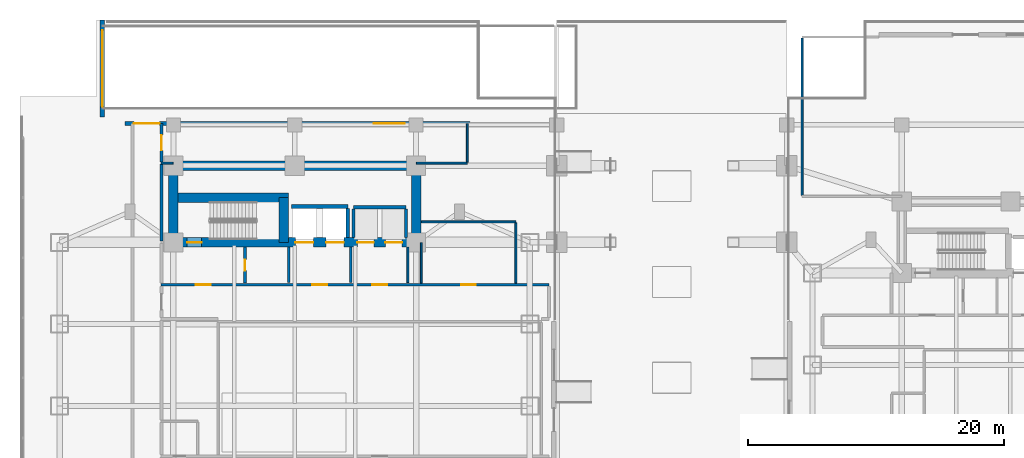
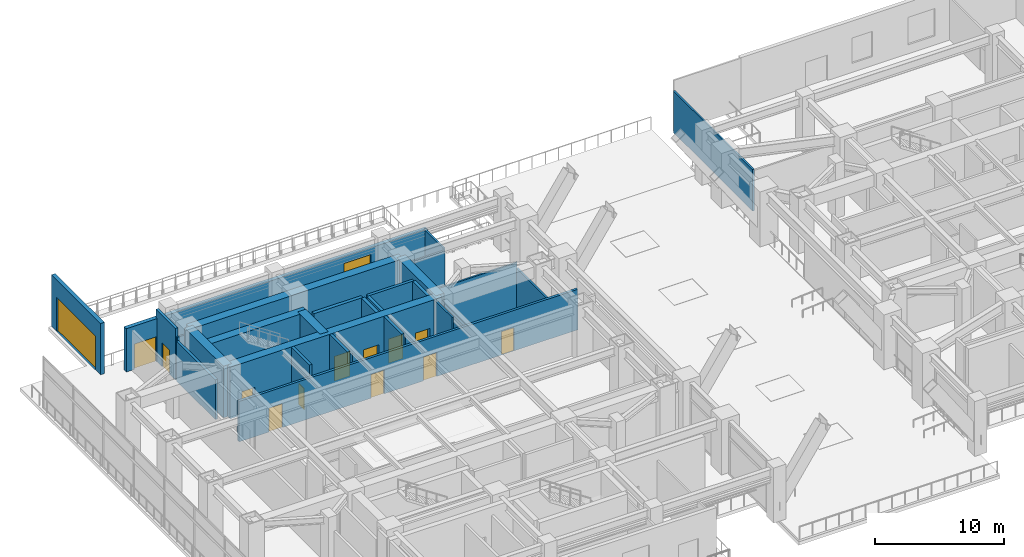
# One storey, part 12 of 27: 27 walls, 13 doors, 1 window, 14 openings.
"""IFC4 building model written with IfcOpenShell, lengths in metres."""

import ifcopenshell
import ifcopenshell.guid

model = None  # the IFC model being written
_history = None  # IfcOwnerHistory: only IFC2X3 demands one
_inside = {}  # id of a spatial element -> (the spatial element, [elements in it])
_under = {}  # id of a project, library or spatial element -> (it, [spatial elements below it])
_declared = {}  # id of a project -> (the project, [libraries it declares])
_typed = {}  # id of a type object -> (the type object, [elements of that type])
_made_of = {}  # id of a material, layer set ... -> (it, [elements and type objects made of it])


def new_model(schema):
    """Start an empty IFC model of exactly this schema.

    Asked for "IFC4X3", IfcOpenShell would pick the latest addendum, in which some entities
    have other attributes; the version numbers below select the first issue.
    IFC2X3 requires an IfcOwnerHistory on every rooted entity: one is made here for all.
    """
    global model, _history
    if schema == "IFC4X3":
        model = ifcopenshell.file(schema_version=(4, 3, 0, 0))
    else:
        model = ifcopenshell.file(schema=schema)
    _inside.clear()
    _under.clear()
    _declared.clear()
    _typed.clear()
    _made_of.clear()
    _history = None
    if model.schema == "IFC2X3":
        org = make("IfcOrganization", Name="unknown")
        user = make(
            "IfcPersonAndOrganization",
            ThePerson=make("IfcPerson", FamilyName="unknown"),
            TheOrganization=org,
        )
        app = make(
            "IfcApplication",
            ApplicationDeveloper=org,
            Version="unknown",
            ApplicationFullName="unknown",
            ApplicationIdentifier="unknown",
        )
        _history = make(
            "IfcOwnerHistory",
            OwningUser=user,
            OwningApplication=app,
            ChangeAction="ADDED",
            CreationDate=0,
        )
    return model


def make(cls, **values):
    """One entity of the class cls with the attributes given. An attribute that is None is left unset."""
    return model.create_entity(
        cls, **{name: value for name, value in values.items() if value is not None}
    )


def rooted(cls, **values):
    """An entity with a GlobalId (a new one), such as an element, a storey or a relation."""
    return make(cls, GlobalId=ifcopenshell.guid.new(), OwnerHistory=_history, **values)


def si_unit(unit_type, name, prefix=None):
    """IfcSIUnit, for example si_unit("LENGTHUNIT", "METRE", prefix="MILLI")."""
    return make("IfcSIUnit", UnitType=unit_type, Prefix=prefix, Name=name)


def assignment(units):
    """IfcUnitAssignment: the units of a project."""
    return None if units is None else make("IfcUnitAssignment", Units=units)


def point(xyz):
    """IfcCartesianPoint."""
    return None if xyz is None else make("IfcCartesianPoint", Coordinates=xyz)


def direction(xyz):
    """IfcDirection."""
    return None if xyz is None else make("IfcDirection", DirectionRatios=xyz)


def frame(location, z_axis=None, x_axis=None):
    """IfcAxis2Placement3D, a coordinate frame: its origin and axes. An axis left out is left unset."""
    return make(
        "IfcAxis2Placement3D",
        Location=point(location),
        Axis=direction(z_axis),
        RefDirection=direction(x_axis),
    )


def frame_2d(location, x_axis=None):
    """IfcAxis2Placement2D, a coordinate frame in the plane: its origin and x axis."""
    return make(
        "IfcAxis2Placement2D", Location=point(location), RefDirection=direction(x_axis)
    )


def origin():
    """The frame at (0, 0, 0) with its axes left unset."""
    return frame((0.0, 0.0, 0.0))


def place(relative_to, where):
    """IfcLocalPlacement: puts the frame where relative to a parent placement (None: the world)."""
    return make(
        "IfcLocalPlacement", PlacementRelTo=relative_to, RelativePlacement=where
    )


def context(
    kind, dimensions, precision=None, world=None, true_north=None, identifier=None
):
    """IfcGeometricRepresentationContext, for example the 3D "Model" context."""
    return make(
        "IfcGeometricRepresentationContext",
        ContextIdentifier=identifier,
        ContextType=kind,
        CoordinateSpaceDimension=dimensions,
        Precision=precision,
        WorldCoordinateSystem=world,
        TrueNorth=true_north,
    )


def subcontext(parent, identifier, kind, view, scale=None):
    """IfcGeometricRepresentationSubContext, for example "Body" below "Model"."""
    return make(
        "IfcGeometricRepresentationSubContext",
        ContextIdentifier=identifier,
        ContextType=kind,
        ParentContext=parent,
        TargetScale=scale,
        TargetView=view,
    )


def project(units=None, contexts=None):
    """IfcProject with its units and contexts."""
    return rooted(
        "IfcProject",
        Name="project",
        RepresentationContexts=contexts,
        UnitsInContext=assignment(units),
    )


def spatial(cls, under=None, at=None, **own):
    """A site, building, storey or space (cls), placed at a placement, below another one or the project."""
    s = rooted(cls, ObjectPlacement=at, **own)
    if under is not None:
        _under.setdefault(under.id(), (under, []))[1].append(s)
    return s


def profile(cls, at=None, kind="AREA", **sizes):
    """A parametric profile (cls). Its sizes go by their IFC names, for example OverallWidth=200.0."""
    return make(cls, ProfileType=kind, Position=at, **sizes)


def rectangle(**sizes):
    """IfcRectangleProfileDef."""
    return profile("IfcRectangleProfileDef", **sizes)


def extrude(swept, where, along, depth):
    """IfcExtrudedAreaSolid: the profile swept, set in the frame where, extruded along a direction by depth."""
    return make(
        "IfcExtrudedAreaSolid",
        SweptArea=swept,
        Position=where,
        ExtrudedDirection=direction(along),
        Depth=depth,
    )


def shape(context_of_items, identifier, shape_type, items):
    """IfcShapeRepresentation: the items that make up one representation, for example the "Body"."""
    return make(
        "IfcShapeRepresentation",
        ContextOfItems=context_of_items,
        RepresentationIdentifier=identifier,
        RepresentationType=shape_type,
        Items=items,
    )


def material(Name=None, Category=None):
    """IfcMaterial."""
    return make("IfcMaterial", Name=Name, Category=Category)


def layer(
    of_material, thickness, ventilated=None, Name=None, Category=None, Priority=None
):
    """IfcMaterialLayer: one layer of a wall or slab, of a material (None: an air gap)."""
    return make(
        "IfcMaterialLayer",
        Material=of_material,
        LayerThickness=thickness,
        IsVentilated=ventilated,
        Name=Name,
        Category=Category,
        Priority=Priority,
    )


def layer_set(layers, Name=None):
    """IfcMaterialLayerSet."""
    return make("IfcMaterialLayerSet", MaterialLayers=layers, LayerSetName=Name)


def made_of(thing, what):
    """Note that an element or type object is made of a material, layer set ...; save() writes the relation."""
    if what is not None:
        _made_of.setdefault(what.id(), (what, []))[1].append(thing)
    return thing


def type_object(cls, material=None, **own):
    """A type object (cls), such as IfcWallType, which elements share."""
    return made_of(rooted(cls, **own), material)


def element(
    cls,
    number,
    at=None,
    inside=None,
    cuts=None,
    type_object=None,
    material=None,
    context=None,
    identifier="Body",
    shape_type=None,
    held_by="IfcProductDefinitionShape",
    body=None,
    shapes=None,
    **own,
):
    """One element of the class cls, such as IfcWall. Its Tag is "e" and its number.

    at: its placement. inside: the storey or other place that contains it. cuts: it is an
    opening in that element (IfcRelVoidsElement). A single representation is given by context,
    identifier, shape_type and body (its items); several are given by shapes. held_by: the class
    of the entity that holds the representations. save() writes the other relations.
    """
    e = rooted(cls, Tag="e%d" % number, ObjectPlacement=at, **own)
    if body is not None:
        shapes = [shape(context, identifier, shape_type, body)]
    if shapes is not None:
        e.Representation = make(held_by, Representations=shapes)
    if inside is not None:
        _inside.setdefault(inside.id(), (inside, []))[1].append(e)
    if cuts is not None:
        rooted(
            "IfcRelVoidsElement", RelatingBuildingElement=cuts, RelatedOpeningElement=e
        )
    if type_object is not None:
        _typed.setdefault(type_object.id(), (type_object, []))[1].append(e)
    return made_of(e, material)


def fill(opening, filler):
    """IfcRelFillsElement: the door or window that sits in an opening."""
    return rooted(
        "IfcRelFillsElement",
        RelatingOpeningElement=opening,
        RelatedBuildingElement=filler,
    )


def aggregate(whole, parts):
    """IfcRelAggregates: a whole, such as a stair, and the parts it consists of."""
    return rooted("IfcRelAggregates", RelatingObject=whole, RelatedObjects=parts)


def save(model, path):
    """Write the relations noted so far, then the file.

    IfcRelAggregates (storeys below a building ...), IfcRelContainedInSpatialStructure (elements
    in a storey), IfcRelDefinesByType, IfcRelAssociatesMaterial and IfcRelDeclares: one each for
    every whole, place, type object, material and project.
    """
    for whole, parts in _under.values():
        aggregate(whole, parts)
    for where, things in _inside.values():
        rooted(
            "IfcRelContainedInSpatialStructure",
            RelatedElements=things,
            RelatingStructure=where,
        )
    for kind, things in _typed.values():
        rooted("IfcRelDefinesByType", RelatedObjects=things, RelatingType=kind)
    for what, things in _made_of.values():
        rooted("IfcRelAssociatesMaterial", RelatedObjects=things, RelatingMaterial=what)
    for by, libraries in _declared.values():
        rooted("IfcRelDeclares", RelatingContext=by, RelatedDefinitions=libraries)
    model.write(path)


model = new_model("IFC4")

# Units and contexts
model_context = context("Model", 3, precision=1e-05, world=origin(), true_north=direction((0.0, 1.0)))
body_context = subcontext(model_context, "Body", "Model", "MODEL_VIEW")
ifc_project = project(units=[si_unit("LENGTHUNIT", "METRE"), si_unit("AREAUNIT", "SQUARE_METRE"), si_unit("VOLUMEUNIT", "CUBIC_METRE"), si_unit("PLANEANGLEUNIT", "RADIAN"), si_unit("MASSUNIT", "GRAM", prefix="KILO")], contexts=[model_context])

# Site, building, storey
site_placement = place(None, origin())
site = spatial("IfcSite", under=ifc_project, at=site_placement, CompositionType="ELEMENT")
building_placement = place(site_placement, origin())
building = spatial("IfcBuilding", under=site, at=building_placement, Name="Mirazonda Arch Towers", CompositionType="ELEMENT")
storey_placement = place(building_placement, origin())
storey = spatial("IfcBuildingStorey", under=building, at=storey_placement, Name="L00", CompositionType="ELEMENT", Elevation=0.0)

# Walls
ifc_material_1 = material(Name="Concrete C60/75", Category="concrete")
ifc_layer_1 = layer(ifc_material_1, 0.75, Name="WALL-CORE-750")
ifc_layer_set_1 = layer_set([ifc_layer_1], Name="Concrete C60/75")
wall_type_1 = type_object("IfcWallType", Name="WALL-CORE-750", PredefinedType="SHEAR", material=ifc_layer_set_1)
wall_1_placement = place(storey_placement, frame((11.0, 43.60009765625, 0.0), z_axis=(0.0, 0.0, 1.0), x_axis=(1.0, 0.0, 0.0)))
element("IfcWall", 1, at=wall_1_placement, inside=storey, type_object=wall_type_1, Name="L00 T1N-N Core Shear Wall", PredefinedType="SHEAR", context=body_context, shape_type="SweptSolid", body=[
    extrude(rectangle(XDim=19.0, YDim=0.75, at=frame_2d((9.5, 0.0))), origin(), (0.0, 0.0, 1.0), 4.8798828125),
])
for number, where, z_axis, x_axis, name in (
    (2, (11.0, 37.60009765625, 0.0), (0.0, 0.0, 1.0), (0.0, 1.0, 0.0), "L00 T1N-W Core Shear Wall"),
    (3, (30.0, 37.60009765625, 0.0), (0.0, 0.0, 1.0), (0.0, 1.0, 0.0), "L00 T1N-E Core Shear Wall"),
):
    element("IfcWall", number, at=place(storey_placement, frame(where, z_axis=z_axis, x_axis=x_axis)), inside=storey, type_object=wall_type_1, Name=name, PredefinedType="SHEAR", context=body_context, shape_type="SweptSolid", body=[
        extrude(rectangle(XDim=6.0, YDim=0.75, at=frame_2d((3.0, 0.0))), origin(), (0.0, 0.0, 1.0), 4.8798828125),
    ])

# Wall, openings, doors
wall_2_placement = place(storey_placement, frame((11.0, 37.60009765625, 0.0), z_axis=(0.0, 0.0, 1.0), x_axis=(1.0, 0.0, 0.0)))
wall_2 = element("IfcWall", 4, at=wall_2_placement, inside=storey, type_object=wall_type_1, Name="L00 T1N-S Core Shear Wall", PredefinedType="SHEAR", context=body_context, shape_type="SweptSolid", body=[
    extrude(rectangle(XDim=19.0, YDim=0.75, at=frame_2d((9.5, 0.0))), origin(), (0.0, 0.0, 1.0), 4.8798828125),
])
opening_1_placement = place(wall_2_placement, frame((1.070068359375, 0.0, 0.0)))
opening_1 = element("IfcOpeningElement", 5, at=opening_1_placement, cuts=wall_2, Name="Opening DR-135", PredefinedType="OPENING", context=body_context, shape_type="SweptSolid", body=[
    extrude(rectangle(XDim=1.14990234375, YDim=2.199951171875, at=frame_2d((0.574951171875, 1.10009765625))), frame((0.0, 0.385009765625, 0.0), z_axis=(0.0, -1.0, 0.0), x_axis=(1.0, 0.0, 0.0)), (0.0, 0.0, 1.0), 0.77001953125),
])
opening_2_placement = place(wall_2_placement, frame((9.550048828125, 0.0, 0.0)))
opening_2 = element("IfcOpeningElement", 6, at=opening_2_placement, cuts=wall_2, Name="Opening LD-112", PredefinedType="OPENING", context=body_context, shape_type="SweptSolid", body=[
    extrude(rectangle(XDim=1.39990234375, YDim=2.35009765625, at=frame_2d((0.699951171875, 1.175048828125))), frame((0.0, 0.385009765625, 0.0), z_axis=(0.0, -1.0, 0.0), x_axis=(1.0, 0.0, 0.0)), (0.0, 0.0, 1.0), 0.77001953125),
])
opening_3_placement = place(wall_2_placement, frame((11.949951171875, 0.0, 0.0)))
opening_3 = element("IfcOpeningElement", 7, at=opening_3_placement, cuts=wall_2, Name="Opening LD-112", PredefinedType="OPENING", context=body_context, shape_type="SweptSolid", body=[
    extrude(rectangle(XDim=1.39990234375, YDim=2.35009765625, at=frame_2d((0.699951171875, 1.175048828125))), frame((0.0, 0.385009765625, 0.0), z_axis=(0.0, -1.0, 0.0), x_axis=(1.0, 0.0, 0.0)), (0.0, 0.0, 1.0), 0.77001953125),
])
opening_4_placement = place(wall_2_placement, frame((14.39990234375, 0.0, 0.0)))
opening_4 = element("IfcOpeningElement", 8, at=opening_4_placement, cuts=wall_2, Name="Opening LD-111", PredefinedType="OPENING", context=body_context, shape_type="SweptSolid", body=[
    extrude(rectangle(XDim=1.300048828125, YDim=2.300048828125, at=frame_2d((0.64990234375, 1.14990234375))), frame((0.0, 0.385009765625, 0.0), z_axis=(0.0, -1.0, 0.0), x_axis=(1.0, 0.0, 0.0)), (0.0, 0.0, 1.0), 0.77001953125),
])
opening_5_placement = place(wall_2_placement, frame((16.60009765625, 0.0, 0.0)))
opening_5 = element("IfcOpeningElement", 9, at=opening_5_placement, cuts=wall_2, Name="Opening LD-111", PredefinedType="OPENING", context=body_context, shape_type="SweptSolid", body=[
    extrude(rectangle(XDim=1.300048828125, YDim=2.300048828125, at=frame_2d((0.64990234375, 1.14990234375))), frame((0.0, 0.385009765625, 0.0), z_axis=(0.0, -1.0, 0.0), x_axis=(1.0, 0.0, 0.0)), (0.0, 0.0, 1.0), 0.77001953125),
])
ifc_material_2 = material(Name="Architectural Brushed Steel S355", Category="steel")
door_type_1 = type_object("IfcDoorType", Name="DOOR-LIFT-FFL-1400", OperationType="NOTDEFINED", PredefinedType="DOOR", material=ifc_material_2)
door_1_placement = place(opening_2_placement, origin())
door_1 = element("IfcDoor", 10, at=door_1_placement, inside=storey, type_object=door_type_1, Name="L00 Lift Landing Sliding Door FFL-T1", OperationType="DOUBLE_DOOR_SLIDING", OverallHeight=2.35009765625, OverallWidth=1.39990234375, PredefinedType="DOOR", context=body_context, shape_type="SweptSolid", body=[
    extrude(rectangle(XDim=1.39990234375, YDim=2.35009765625, at=frame_2d((0.699951171875, 1.175048828125))), frame((0.0, 0.02490234375, 0.0), z_axis=(0.0, -1.0, 0.0), x_axis=(1.0, 0.0, 0.0)), (0.0, 0.0, 1.0), 0.050048828125),
])
fill(opening_2, door_1)
door_2_placement = place(opening_3_placement, origin())
door_2 = element("IfcDoor", 11, at=door_2_placement, inside=storey, type_object=door_type_1, Name="L00 Lift Landing Sliding Door SVL-T1", OperationType="DOUBLE_DOOR_SLIDING", OverallHeight=2.35009765625, OverallWidth=1.39990234375, PredefinedType="DOOR", context=body_context, shape_type="SweptSolid", body=[
    extrude(rectangle(XDim=1.39990234375, YDim=2.35009765625, at=frame_2d((0.699951171875, 1.175048828125))), frame((0.0, 0.02490234375, 0.0), z_axis=(0.0, -1.0, 0.0), x_axis=(1.0, 0.0, 0.0)), (0.0, 0.0, 1.0), 0.050048828125),
])
fill(opening_3, door_2)
door_type_2 = type_object("IfcDoorType", Name="DOOR-LIFT-LAND-1300", OperationType="NOTDEFINED", PredefinedType="DOOR", material=ifc_material_2)
door_3_placement = place(opening_4_placement, origin())
door_3 = element("IfcDoor", 12, at=door_3_placement, inside=storey, type_object=door_type_2, Name="L00 Lift Landing Sliding Door PL-T1L1", OperationType="DOUBLE_DOOR_SLIDING", OverallHeight=2.300048828125, OverallWidth=1.300048828125, PredefinedType="DOOR", context=body_context, shape_type="SweptSolid", body=[
    extrude(rectangle(XDim=1.300048828125, YDim=2.300048828125, at=frame_2d((0.64990234375, 1.14990234375))), frame((0.0, 0.02490234375, 0.0), z_axis=(0.0, -1.0, 0.0), x_axis=(1.0, 0.0, 0.0)), (0.0, 0.0, 1.0), 0.050048828125),
])
fill(opening_4, door_3)
door_4_placement = place(opening_5_placement, origin())
door_4 = element("IfcDoor", 13, at=door_4_placement, inside=storey, type_object=door_type_2, Name="L00 Lift Landing Sliding Door PL-T1L2", OperationType="DOUBLE_DOOR_SLIDING", OverallHeight=2.300048828125, OverallWidth=1.300048828125, PredefinedType="DOOR", context=body_context, shape_type="SweptSolid", body=[
    extrude(rectangle(XDim=1.300048828125, YDim=2.300048828125, at=frame_2d((0.64990234375, 1.14990234375))), frame((0.0, 0.02490234375, 0.0), z_axis=(0.0, -1.0, 0.0), x_axis=(1.0, 0.0, 0.0)), (0.0, 0.0, 1.0), 0.050048828125),
])
fill(opening_5, door_4)
door_type_3 = type_object("IfcDoorType", Name="DOOR-STAIR-FD90-1150", OperationType="NOTDEFINED", PredefinedType="DOOR", material=ifc_material_2)
door_5_placement = place(opening_1_placement, origin())
door_5 = element("IfcDoor", 14, at=door_5_placement, inside=storey, type_object=door_type_3, Name="L00 Protected Exit Stair North Door", OperationType="SINGLE_SWING_LEFT", OverallHeight=2.199951171875, OverallWidth=1.14990234375, PredefinedType="DOOR", context=body_context, shape_type="SweptSolid", body=[
    extrude(rectangle(XDim=1.14990234375, YDim=2.199951171875, at=frame_2d((0.574951171875, 1.10009765625))), frame((0.0, 0.02490234375, 0.0), z_axis=(0.0, -1.0, 0.0), x_axis=(1.0, 0.0, 0.0)), (0.0, 0.0, 1.0), 0.050048828125),
])
fill(opening_1, door_5)

# Walls
wall_3_placement = place(storey_placement, frame((11.0, 41.094970703125, 0.0), z_axis=(0.0, 0.0, 1.0), x_axis=(1.0, 0.0, 0.0)))
element("IfcWall", 15, at=wall_3_placement, inside=storey, type_object=wall_type_1, Name="L00 T1N-STN Core Shear Wall", PredefinedType="SHEAR", context=body_context, shape_type="SweptSolid", body=[
    extrude(rectangle(XDim=9.0, YDim=0.75, at=frame_2d((4.5, 0.0))), origin(), (0.0, 0.0, 1.0), 4.8798828125),
])
wall_4_placement = place(storey_placement, frame((19.64990234375, 37.60009765625, 0.0), z_axis=(0.0, 0.0, 1.0), x_axis=(0.0, 1.0, 0.0)))
element("IfcWall", 16, at=wall_4_placement, inside=storey, type_object=wall_type_1, Name="L00 T1N-STE Core Shear Wall", PredefinedType="SHEAR", context=body_context, shape_type="SweptSolid", body=[
    extrude(rectangle(XDim=3.494873046875, YDim=0.75, at=frame_2d((1.74755859375, 0.0))), origin(), (0.0, 0.0, 1.0), 4.8798828125),
])

# Wall, openings, door, window
ifc_material_3 = material(Name="Precast Concrete C40/50", Category="concrete")
ifc_layer_2 = layer(ifc_material_3, 0.35009765625, Name="WALL-EXT-WALL-350")
ifc_layer_set_2 = layer_set([ifc_layer_2], Name="Precast Concrete C40/50")
wall_type_2 = type_object("IfcWallType", Name="WALL-EXT-WALL-350", PredefinedType="SOLIDWALL", material=ifc_layer_set_2)
wall_5_placement = place(storey_placement, frame((7.199951171875, 46.89990234375, 0.0), z_axis=(0.0, 0.0, 1.0), x_axis=(1.0, 0.0, 0.0)))
wall_5 = element("IfcWall", 17, at=wall_5_placement, inside=storey, type_object=wall_type_2, Name="L00 North West Podium Concourse Wall WL-L00-N-W", PredefinedType="SOLIDWALL", context=body_context, shape_type="SweptSolid", body=[
    extrude(rectangle(XDim=27.0, YDim=0.35009765625, at=frame_2d((13.5, 0.0))), origin(), (0.0, 0.0, 1.0), 4.09912109375),
])
opening_6_placement = place(wall_5_placement, frame((19.5, 0.0, 0.85009765625)))
opening_6 = element("IfcOpeningElement", 18, at=opening_6_placement, cuts=wall_5, Name="Opening WN-111", PredefinedType="OPENING", context=body_context, shape_type="SweptSolid", body=[
    extrude(rectangle(XDim=2.39990234375, YDim=2.60009765625, at=frame_2d((1.199951171875, 1.300048828125))), frame((0.0, 0.18505859375, 0.0), z_axis=(0.0, -1.0, 0.0), x_axis=(1.0, 0.0, 0.0)), (0.0, 0.0, 1.0), 0.3701171875),
])
opening_7_placement = place(wall_5_placement, frame((0.719970703125, 0.0, 0.0)))
opening_7 = element("IfcOpeningElement", 19, at=opening_7_placement, cuts=wall_5, Name="Opening DR-101", PredefinedType="OPENING", context=body_context, shape_type="SweptSolid", body=[
    extrude(rectangle(XDim=2.0, YDim=2.39990234375, at=frame_2d((1.0, 1.199951171875))), frame((0.0, 0.18505859375, 0.0), z_axis=(0.0, -1.0, 0.0), x_axis=(1.0, 0.0, 0.0)), (0.0, 0.0, 1.0), 0.3701171875),
])
door_type_4 = type_object("IfcDoorType", Name="DOOR-EXIT-EXT-2000", OperationType="NOTDEFINED", PredefinedType="DOOR", material=ifc_material_2)
door_6_placement = place(opening_7_placement, origin())
door_6 = element("IfcDoor", 20, at=door_6_placement, inside=storey, type_object=door_type_4, Name="L00 Exterior Door DR-EXIT-N1", OperationType="SINGLE_SWING_LEFT", OverallHeight=2.39990234375, OverallWidth=2.0, PredefinedType="DOOR", context=body_context, shape_type="SweptSolid", body=[
    extrude(rectangle(XDim=2.0, YDim=2.39990234375, at=frame_2d((1.0, 1.199951171875))), frame((0.0, 0.02490234375, 0.0), z_axis=(0.0, -1.0, 0.0), x_axis=(1.0, 0.0, 0.0)), (0.0, 0.0, 1.0), 0.050048828125),
])
fill(opening_7, door_6)
ifc_material_4 = material(Name="Insulated Low-E Solar Glass", Category="glass")
window_type = type_object("IfcWindowType", Name="WIN-POD-2400x2600", PartitioningType="SINGLE_PANEL", PredefinedType="WINDOW", material=ifc_material_4)
window_placement = place(opening_6_placement, origin())
window = element("IfcWindow", 21, at=window_placement, inside=storey, type_object=window_type, Name="L00 Punched Facade Window WN-L00-NW2", OverallHeight=2.60009765625, OverallWidth=2.39990234375, PartitioningType="SINGLE_PANEL", PredefinedType="WINDOW", context=body_context, shape_type="SweptSolid", body=[
    extrude(rectangle(XDim=2.39990234375, YDim=2.60009765625, at=frame_2d((1.199951171875, 1.300048828125))), frame((0.0, 0.030029296875, 0.0), z_axis=(0.0, -1.0, 0.0), x_axis=(1.0, 0.0, 0.0)), (0.0, 0.0, 1.0), 0.06005859375),
])
fill(opening_6, window)

# Wall, opening, door
wall_6_placement = place(storey_placement, frame((5.449951171875, 55.0, 0.0), z_axis=(0.0, 0.0, 1.0), x_axis=(0.0, -1.0, 0.0)))
wall_6 = element("IfcWall", 22, at=wall_6_placement, inside=storey, type_object=wall_type_2, Name="L00 West Car-Park Ramp Portal Wall WL-L00-W-RMP", PredefinedType="SOLIDWALL", context=body_context, shape_type="SweptSolid", body=[
    extrude(rectangle(XDim=7.60009765625, YDim=0.35009765625, at=frame_2d((3.800048828125, 0.0))), origin(), (0.0, 0.0, 1.0), 4.860107421875),
])
opening_8_placement = place(wall_6_placement, frame((0.800048828125, 0.0, 0.0)))
opening_8 = element("IfcOpeningElement", 23, at=opening_8_placement, cuts=wall_6, Name="Opening DR-106", PredefinedType="OPENING", context=body_context, shape_type="SweptSolid", body=[
    extrude(rectangle(XDim=6.0, YDim=3.199951171875, at=frame_2d((3.0, 1.60009765625))), frame((0.0, 0.18505859375, 0.0), z_axis=(0.0, -1.0, 0.0), x_axis=(1.0, 0.0, 0.0)), (0.0, 0.0, 1.0), 0.3701171875),
])
door_type_5 = type_object("IfcDoorType", Name="DOOR-VEH-GATE-6000", OperationType="NOTDEFINED", PredefinedType="GATE", material=ifc_material_2)
door_7_placement = place(opening_8_placement, origin())
door_7 = element("IfcDoor", 24, at=door_7_placement, inside=storey, type_object=door_type_5, Name="L00 Exterior Door DR-VEHGATE-W1", OperationType="ROLLINGUP", OverallHeight=3.199951171875, OverallWidth=6.0, PredefinedType="GATE", context=body_context, shape_type="SweptSolid", body=[
    extrude(rectangle(XDim=6.0, YDim=3.199951171875, at=frame_2d((3.0, 1.60009765625))), frame((0.0, 0.02490234375, 0.0), z_axis=(0.0, -1.0, 0.0), x_axis=(1.0, 0.0, 0.0)), (0.0, 0.0, 1.0), 0.050048828125),
])
fill(opening_8, door_7)

# Wall, openings, doors
ifc_material_5 = material(Name="Concrete C40/50", Category="concrete")
ifc_layer_3 = layer(ifc_material_5, 0.219970703125, Name="WALL-FFL-220")
ifc_layer_set_3 = layer_set([ifc_layer_3], Name="Concrete C40/50")
wall_type_3 = type_object("IfcWallType", Name="WALL-FFL-220", PredefinedType="SOLIDWALL", material=ifc_layer_set_3)
wall_7_placement = place(storey_placement, frame((10.050048828125, 34.283203125, 0.0), z_axis=(0.0, 0.0, 1.0), x_axis=(1.0, 0.0, 0.0)))
wall_7 = element("IfcWall", 25, at=wall_7_placement, inside=storey, type_object=wall_type_3, Name="L00 Interior Partition 034", PredefinedType="SOLIDWALL", context=body_context, shape_type="SweptSolid", body=[
    extrude(rectangle(XDim=30.349853515625, YDim=0.219970703125, at=frame_2d((15.1748046875, 0.0))), origin(), (0.0, 0.0, 1.0), 3.83203125),
])
opening_9_placement = place(wall_7_placement, frame((2.695068359375, 0.0, 0.0)))
opening_9 = element("IfcOpeningElement", 26, at=opening_9_placement, cuts=wall_7, Name="Opening DR-117", PredefinedType="OPENING", context=body_context, shape_type="SweptSolid", body=[
    extrude(rectangle(XDim=1.199951171875, YDim=2.25, at=frame_2d((0.60009765625, 1.125))), frame((0.0, 0.119873046875, 0.0), z_axis=(0.0, -1.0, 0.0), x_axis=(1.0, 0.0, 0.0)), (0.0, 0.0, 1.0), 0.239990234375),
])
opening_10_placement = place(wall_7_placement, frame((11.800048828125, 0.0, 0.0)))
opening_10 = element("IfcOpeningElement", 27, at=opening_10_placement, cuts=wall_7, Name="Opening DR-117", PredefinedType="OPENING", context=body_context, shape_type="SweptSolid", body=[
    extrude(rectangle(XDim=1.199951171875, YDim=2.25, at=frame_2d((0.60009765625, 1.125))), frame((0.0, 0.119873046875, 0.0), z_axis=(0.0, -1.0, 0.0), x_axis=(1.0, 0.0, 0.0)), (0.0, 0.0, 1.0), 0.239990234375),
])
opening_11_placement = place(wall_7_placement, frame((16.5, 0.0, 0.0)))
opening_11 = element("IfcOpeningElement", 28, at=opening_11_placement, cuts=wall_7, Name="Opening DR-117", PredefinedType="OPENING", context=body_context, shape_type="SweptSolid", body=[
    extrude(rectangle(XDim=1.199951171875, YDim=2.25, at=frame_2d((0.60009765625, 1.125))), frame((0.0, 0.119873046875, 0.0), z_axis=(0.0, -1.0, 0.0), x_axis=(1.0, 0.0, 0.0)), (0.0, 0.0, 1.0), 0.239990234375),
])
opening_12_placement = place(wall_7_placement, frame((23.47509765625, 0.0, 0.0)))
opening_12 = element("IfcOpeningElement", 29, at=opening_12_placement, cuts=wall_7, Name="Opening DR-135", PredefinedType="OPENING", context=body_context, shape_type="SweptSolid", body=[
    extrude(rectangle(XDim=1.14990234375, YDim=2.199951171875, at=frame_2d((0.574951171875, 1.10009765625))), frame((0.0, 0.119873046875, 0.0), z_axis=(0.0, -1.0, 0.0), x_axis=(1.0, 0.0, 0.0)), (0.0, 0.0, 1.0), 0.239990234375),
])
door_type_6 = type_object("IfcDoorType", Name="DOOR-FFL-FD90-1200", OperationType="NOTDEFINED", PredefinedType="DOOR", material=ifc_material_2)
door_8_placement = place(opening_9_placement, origin())
door_8 = element("IfcDoor", 30, at=door_8_placement, inside=storey, type_object=door_type_6, Name="L00 West North Core Stair Protected Exit Lobby Door", OperationType="SINGLE_SWING_LEFT", OverallHeight=2.25, OverallWidth=1.199951171875, PredefinedType="DOOR", context=body_context, shape_type="SweptSolid", body=[
    extrude(rectangle(XDim=1.199951171875, YDim=2.25, at=frame_2d((0.60009765625, 1.125))), frame((0.0, 0.02490234375, 0.0), z_axis=(0.0, -1.0, 0.0), x_axis=(1.0, 0.0, 0.0)), (0.0, 0.0, 1.0), 0.050048828125),
])
fill(opening_9, door_8)
door_9_placement = place(opening_10_placement, origin())
door_9 = element("IfcDoor", 31, at=door_9_placement, inside=storey, type_object=door_type_6, Name="L00 Firefighting Lift Lobby Door", OperationType="SINGLE_SWING_RIGHT", OverallHeight=2.25, OverallWidth=1.199951171875, PredefinedType="DOOR", context=body_context, shape_type="SweptSolid", body=[
    extrude(rectangle(XDim=1.199951171875, YDim=2.25, at=frame_2d((0.60009765625, 1.125))), frame((0.0, 0.02490234375, 0.0), z_axis=(0.0, -1.0, 0.0), x_axis=(1.0, 0.0, 0.0)), (0.0, 0.0, 1.0), 0.050048828125),
])
fill(opening_10, door_9)
door_10_placement = place(opening_11_placement, origin())
door_10 = element("IfcDoor", 32, at=door_10_placement, inside=storey, type_object=door_type_6, Name="L00 Passenger Lift Lobby North Door", OperationType="SINGLE_SWING_LEFT", OverallHeight=2.25, OverallWidth=1.199951171875, PredefinedType="DOOR", context=body_context, shape_type="SweptSolid", body=[
    extrude(rectangle(XDim=1.199951171875, YDim=2.25, at=frame_2d((0.60009765625, 1.125))), frame((0.0, 0.02490234375, 0.0), z_axis=(0.0, -1.0, 0.0), x_axis=(1.0, 0.0, 0.0)), (0.0, 0.0, 1.0), 0.050048828125),
])
fill(opening_11, door_10)
door_11_placement = place(opening_12_placement, origin())
door_11 = element("IfcDoor", 33, at=door_11_placement, inside=storey, type_object=door_type_3, Name="L00 Fire Command & Emergency Operations Centre Door", OperationType="SINGLE_SWING_RIGHT", OverallHeight=2.199951171875, OverallWidth=1.14990234375, PredefinedType="DOOR", context=body_context, shape_type="SweptSolid", body=[
    extrude(rectangle(XDim=1.14990234375, YDim=2.199951171875, at=frame_2d((0.574951171875, 1.10009765625))), frame((0.0, 0.02490234375, 0.0), z_axis=(0.0, -1.0, 0.0), x_axis=(1.0, 0.0, 0.0)), (0.0, 0.0, 1.0), 0.050048828125),
])
fill(opening_12, door_11)

# Wall
wall_8_placement = place(storey_placement, frame((10.068603515625, 37.702392578125, 0.0), z_axis=(0.0, 0.0, 1.0), x_axis=(0.0, 1.0, 0.0)))
element("IfcWall", 34, at=wall_8_placement, inside=storey, type_object=wall_type_3, Name="L00 Interior Partition 058", PredefinedType="SOLIDWALL", context=body_context, shape_type="SweptSolid", body=[
    extrude(rectangle(XDim=6.0126953125, YDim=0.219970703125, at=frame_2d((3.00634765625, 0.0))), origin(), (0.0, 0.0, 1.0), 3.77197265625),
])

# Wall, opening, door
wall_9_placement = place(storey_placement, frame((10.068603515625, 43.885009765625, 0.0), z_axis=(0.0, 0.0, 1.0), x_axis=(0.0, 1.0, 0.0)))
wall_9 = element("IfcWall", 35, at=wall_9_placement, inside=storey, type_object=wall_type_3, Name="L00 Interior Partition 059", PredefinedType="SOLIDWALL", context=body_context, shape_type="SweptSolid", body=[
    extrude(rectangle(XDim=3.014892578125, YDim=0.219970703125, at=frame_2d((1.50732421875, 0.0))), origin(), (0.0, 0.0, 1.0), 4.8798828125),
])
opening_13_placement = place(wall_9_placement, frame((0.907470703125, 0.0, 0.0)))
opening_13 = element("IfcOpeningElement", 36, at=opening_13_placement, cuts=wall_9, Name="Opening DR-117", PredefinedType="OPENING", context=body_context, shape_type="SweptSolid", body=[
    extrude(rectangle(XDim=1.199951171875, YDim=2.25, at=frame_2d((0.60009765625, 1.125))), frame((0.0, 0.119873046875, 0.0), z_axis=(0.0, -1.0, 0.0), x_axis=(1.0, 0.0, 0.0)), (0.0, 0.0, 1.0), 0.239990234375),
])
door_12_placement = place(opening_13_placement, origin())
door_12 = element("IfcDoor", 37, at=door_12_placement, inside=storey, type_object=door_type_6, Name="L00 Constructivist Design & Book Emporium Door", OperationType="SINGLE_SWING_RIGHT", OverallHeight=2.25, OverallWidth=1.199951171875, PredefinedType="DOOR", context=body_context, shape_type="SweptSolid", body=[
    extrude(rectangle(XDim=1.199951171875, YDim=2.25, at=frame_2d((0.60009765625, 1.125))), frame((0.0, 0.02490234375, 0.0), z_axis=(0.0, -1.0, 0.0), x_axis=(1.0, 0.0, 0.0)), (0.0, 0.0, 1.0), 0.050048828125),
])
fill(opening_13, door_12)

wall_10_placement = place(storey_placement, frame((16.60009765625, 34.4033203125, 0.0), z_axis=(0.0, 0.0, 1.0), x_axis=(0.0, 1.0, 0.0)))
wall_10 = element("IfcWall", 38, at=wall_10_placement, inside=storey, type_object=wall_type_3, Name="L00 Interior Partition 062", PredefinedType="SOLIDWALL", context=body_context, shape_type="SweptSolid", body=[
    extrude(rectangle(XDim=2.82666015625, YDim=0.219970703125, at=frame_2d((1.413330078125, 0.0))), origin(), (0.0, 0.0, 1.0), 4.8798828125),
])
opening_14_placement = place(wall_10_placement, frame((0.99169921875, 0.0, 0.0)))
opening_14 = element("IfcOpeningElement", 39, at=opening_14_placement, cuts=wall_10, Name="Opening DR-128", PredefinedType="OPENING", context=body_context, shape_type="SweptSolid", body=[
    extrude(rectangle(XDim=0.85009765625, YDim=2.010009765625, at=frame_2d((0.425048828125, 1.0048828125))), frame((0.0, 0.119873046875, 0.0), z_axis=(0.0, -1.0, 0.0), x_axis=(1.0, 0.0, 0.0)), (0.0, 0.0, 1.0), 0.239990234375),
])
door_type_7 = type_object("IfcDoorType", Name="DOOR-RISER-FD60-850", OperationType="NOTDEFINED", PredefinedType="DOOR", material=ifc_material_2)
door_13_placement = place(opening_14_placement, origin())
door_13 = element("IfcDoor", 40, at=door_13_placement, inside=storey, type_object=door_type_7, Name="L00 Electrical & Housekeeping Service Room Door", OperationType="SINGLE_SWING_RIGHT", OverallHeight=2.010009765625, OverallWidth=0.85009765625, PredefinedType="DOOR", context=body_context, shape_type="SweptSolid", body=[
    extrude(rectangle(XDim=0.85009765625, YDim=2.010009765625, at=frame_2d((0.425048828125, 1.0048828125))), frame((0.0, 0.02490234375, 0.0), z_axis=(0.0, -1.0, 0.0), x_axis=(1.0, 0.0, 0.0)), (0.0, 0.0, 1.0), 0.050048828125),
])
fill(opening_14, door_13)

# Walls
for number, where, z_axis, x_axis, name in (
    (41, (20.02490234375, 34.449951171875, 0.0), (0.0, 0.0, 1.0), (0.0, 1.0, 0.0), "L00 Interior Partition 066"),
    (42, (24.875, 34.449951171875, 0.0), (0.0, 0.0, 1.0), (0.0, 1.0, 0.0), "L00 Interior Partition 073"),
):
    element("IfcWall", number, at=place(storey_placement, frame(where, z_axis=z_axis, x_axis=x_axis)), inside=storey, type_object=wall_type_3, Name=name, PredefinedType="SOLIDWALL", context=body_context, shape_type="SweptSolid", body=[
        extrude(rectangle(XDim=2.780029296875, YDim=0.219970703125, at=frame_2d((1.39013671875, 0.0))), origin(), (0.0, 0.0, 1.0), 4.8798828125),
    ])
ifc_material_6 = material(Name="Fire-Rated Gypsum Stud Partition")
ifc_layer_4 = layer(ifc_material_6, 0.14990234375, Name="WALL-PART-CORR-150")
ifc_layer_set_4 = layer_set([ifc_layer_4], Name="Fire-Rated Gypsum Stud Partition")
wall_type_4 = type_object("IfcWallType", Name="WALL-PART-CORR-150", PredefinedType="PARTITIONING", material=ifc_layer_set_4)
wall_11_placement = place(storey_placement, frame((30.39990234375, 39.199951171875, 0.0), z_axis=(0.0, 0.0, 1.0), x_axis=(1.0, 0.0, 0.0)))
element("IfcWall", 43, at=wall_11_placement, inside=storey, type_object=wall_type_4, Name="L00 Interior Partition 039", PredefinedType="PARTITIONING", context=body_context, shape_type="SweptSolid", body=[
    extrude(rectangle(XDim=7.400146484375, YDim=0.14990234375, at=frame_2d((3.7001953125, 0.0))), origin(), (0.0, 0.0, 1.0), 4.256103515625),
])
wall_12_placement = place(storey_placement, frame((10.050048828125, 43.800048828125, 0.0), z_axis=(0.0, 0.0, 1.0), x_axis=(1.0, 0.0, 0.0)))
element("IfcWall", 44, at=wall_12_placement, inside=storey, type_object=wall_type_4, Name="L00 Interior Partition 044", PredefinedType="PARTITIONING", context=body_context, shape_type="SweptSolid", body=[
    extrude(rectangle(XDim=0.929931640625, YDim=0.14990234375, at=frame_2d((0.46484375, 0.0))), origin(), (0.0, 0.0, 1.0), 4.09912109375),
])
wall_13_placement = place(storey_placement, frame((30.02001953125, 43.800048828125, 0.0), z_axis=(0.0, 0.0, 1.0), x_axis=(1.0, 0.0, 0.0)))
element("IfcWall", 45, at=wall_13_placement, inside=storey, type_object=wall_type_4, Name="L00 Interior Partition 045", PredefinedType="PARTITIONING", context=body_context, shape_type="SweptSolid", body=[
    extrude(rectangle(XDim=3.97998046875, YDim=0.14990234375, at=frame_2d((1.989990234375, 0.0))), origin(), (0.0, 0.0, 1.0), 3.924072265625),
])
wall_14_placement = place(storey_placement, frame((29.35009765625, 34.449951171875, 0.0), z_axis=(0.0, 0.0, 1.0), x_axis=(0.0, 1.0, 0.0)))
element("IfcWall", 46, at=wall_14_placement, inside=storey, type_object=wall_type_4, Name="L00 Interior Partition 077", PredefinedType="PARTITIONING", context=body_context, shape_type="SweptSolid", body=[
    extrude(rectangle(XDim=2.780029296875, YDim=0.14990234375, at=frame_2d((1.39013671875, 0.0))), origin(), (0.0, 0.0, 1.0), 4.8798828125),
])
wall_15_placement = place(storey_placement, frame((30.39990234375, 34.4033203125, 0.0), z_axis=(0.0, 0.0, 1.0), x_axis=(0.0, 1.0, 0.0)))
element("IfcWall", 47, at=wall_15_placement, inside=storey, type_object=wall_type_4, Name="L00 Interior Partition 080", PredefinedType="PARTITIONING", context=body_context, shape_type="SweptSolid", body=[
    extrude(rectangle(XDim=3.1767578125, YDim=0.14990234375, at=frame_2d((1.58837890625, 0.0))), origin(), (0.0, 0.0, 1.0), 3.77197265625),
])
wall_16_placement = place(storey_placement, frame((34.0, 43.885009765625, 0.0), z_axis=(0.0, 0.0, 1.0), x_axis=(0.0, 1.0, 0.0)))
element("IfcWall", 48, at=wall_16_placement, inside=storey, type_object=wall_type_4, Name="L00 Interior Partition 082", PredefinedType="PARTITIONING", context=body_context, shape_type="SweptSolid", body=[
    extrude(rectangle(XDim=3.014892578125, YDim=0.14990234375, at=frame_2d((1.50732421875, 0.0))), origin(), (0.0, 0.0, 1.0), 4.09912109375),
])
wall_17_placement = place(storey_placement, frame((37.800048828125, 34.4033203125, 0.0), z_axis=(0.0, 0.0, 1.0), x_axis=(0.0, 1.0, 0.0)))
element("IfcWall", 49, at=wall_17_placement, inside=storey, type_object=wall_type_4, Name="L00 Interior Partition 083", PredefinedType="PARTITIONING", context=body_context, shape_type="SweptSolid", body=[
    extrude(rectangle(XDim=4.711669921875, YDim=0.14990234375, at=frame_2d((2.35595703125, 0.0))), origin(), (0.0, 0.0, 1.0), 3.77197265625),
])
wall_18_placement = place(storey_placement, frame((60.199951171875, 41.284912109375, 0.0), z_axis=(0.0, 0.0, 1.0), x_axis=(0.0, 1.0, 0.0)))
element("IfcWall", 50, at=wall_18_placement, inside=storey, type_object=wall_type_4, Name="L00 Interior Partition 088", PredefinedType="PARTITIONING", context=body_context, shape_type="SweptSolid", body=[
    extrude(rectangle(XDim=12.300048828125, YDim=0.14990234375, at=frame_2d((6.14990234375, 0.0))), origin(), (0.0, 0.0, 1.0), 3.924072265625),
])
ifc_layer_5 = layer(ifc_material_5, 0.25, Name="WALL-SHAFT-250")
ifc_layer_set_5 = layer_set([ifc_layer_5], Name="Concrete C40/50")
wall_type_5 = type_object("IfcWallType", Name="WALL-SHAFT-250", PredefinedType="SOLIDWALL", material=ifc_layer_set_5)
wall_19_placement = place(storey_placement, frame((25.10009765625, 40.35009765625, 0.0), z_axis=(0.0, 0.0, 1.0), x_axis=(1.0, 0.0, 0.0)))
element("IfcWall", 51, at=wall_19_placement, inside=storey, type_object=wall_type_5, Name="L00 Interior Partition 040", PredefinedType="SOLIDWALL", context=body_context, shape_type="SweptSolid", body=[
    extrude(rectangle(XDim=4.099853515625, YDim=0.25, at=frame_2d((2.0498046875, 0.0))), origin(), (0.0, 0.0, 1.0), 4.8798828125),
])
for number, where, z_axis, x_axis, name in (
    (52, (25.10009765625, 37.969970703125, 0.0), (0.0, 0.0, 1.0), (0.0, 1.0, 0.0), "L00 Interior Partition 074"),
    (53, (29.199951171875, 37.969970703125, 0.0), (0.0, 0.0, 1.0), (0.0, 1.0, 0.0), "L00 Interior Partition 078"),
):
    element("IfcWall", number, at=place(storey_placement, frame(where, z_axis=z_axis, x_axis=x_axis)), inside=storey, type_object=wall_type_5, Name=name, PredefinedType="SOLIDWALL", context=body_context, shape_type="SweptSolid", body=[
        extrude(rectangle(XDim=2.2451171875, YDim=0.25, at=frame_2d((1.12255859375, 0.0))), origin(), (0.0, 0.0, 1.0), 4.8798828125),
    ])
ifc_material_7 = material(Name="Concrete C50/60", Category="concrete")
ifc_layer_6 = layer(ifc_material_7, 0.300048828125, Name="WALL-SHAFT-300")
ifc_layer_set_6 = layer_set([ifc_layer_6], Name="Concrete C50/60")
wall_type_6 = type_object("IfcWallType", Name="WALL-SHAFT-300", PredefinedType="SOLIDWALL", material=ifc_layer_set_6)
wall_20_placement = place(storey_placement, frame((20.25, 40.39990234375, 0.0), z_axis=(0.0, 0.0, 1.0), x_axis=(1.0, 0.0, 0.0)))
element("IfcWall", 54, at=wall_20_placement, inside=storey, type_object=wall_type_6, Name="L00 Interior Partition 041", PredefinedType="SOLIDWALL", context=body_context, shape_type="SweptSolid", body=[
    extrude(rectangle(XDim=4.39990234375, YDim=0.300048828125, at=frame_2d((2.199951171875, 0.0))), origin(), (0.0, 0.0, 1.0), 4.8798828125),
])
wall_21_placement = place(storey_placement, frame((24.64990234375, 37.969970703125, 0.0), z_axis=(0.0, 0.0, 1.0), x_axis=(0.0, 1.0, 0.0)))
element("IfcWall", 55, at=wall_21_placement, inside=storey, type_object=wall_type_6, Name="L00 Interior Partition 071", PredefinedType="SOLIDWALL", context=body_context, shape_type="SweptSolid", body=[
    extrude(rectangle(XDim=2.27001953125, YDim=0.300048828125, at=frame_2d((1.135009765625, 0.0))), origin(), (0.0, 0.0, 1.0), 4.8798828125),
])

save(model, "model.ifc")
